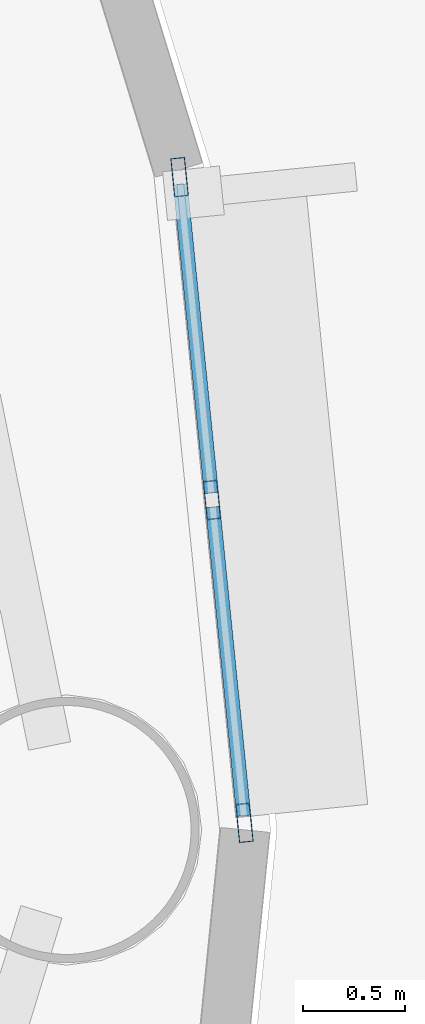
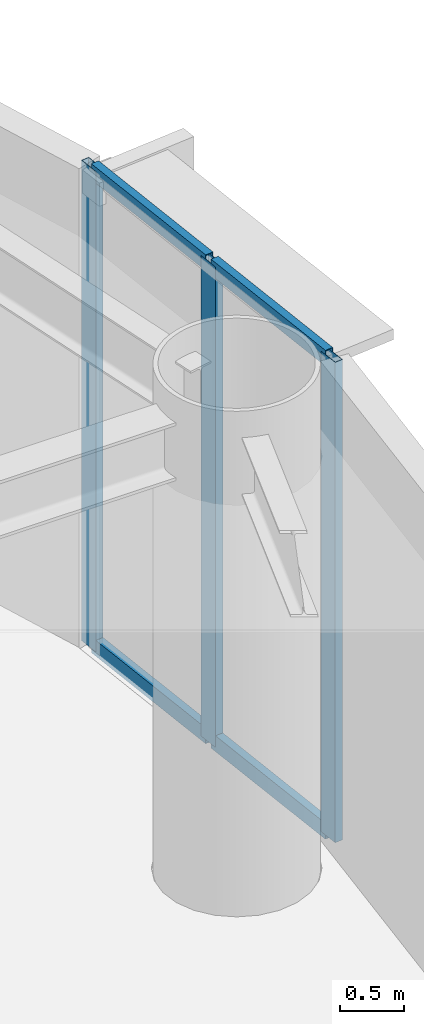
# One storey, part 16 of 38: 7 members, 1 element without a shape of its own.
"""IFC4 building model written with IfcOpenShell, lengths in metres."""

import ifcopenshell
import ifcopenshell.guid

model = None  # the IFC model being written
_history = None  # IfcOwnerHistory: only IFC2X3 demands one
_inside = {}  # id of a spatial element -> (the spatial element, [elements in it])
_under = {}  # id of a project, library or spatial element -> (it, [spatial elements below it])
_declared = {}  # id of a project -> (the project, [libraries it declares])
_typed = {}  # id of a type object -> (the type object, [elements of that type])
_made_of = {}  # id of a material, layer set ... -> (it, [elements and type objects made of it])


def new_model(schema):
    """Start an empty IFC model of exactly this schema.

    Asked for "IFC4X3", IfcOpenShell would pick the latest addendum, in which some entities
    have other attributes; the version numbers below select the first issue.
    IFC2X3 requires an IfcOwnerHistory on every rooted entity: one is made here for all.
    """
    global model, _history
    if schema == "IFC4X3":
        model = ifcopenshell.file(schema_version=(4, 3, 0, 0))
    else:
        model = ifcopenshell.file(schema=schema)
    _inside.clear()
    _under.clear()
    _declared.clear()
    _typed.clear()
    _made_of.clear()
    _history = None
    if model.schema == "IFC2X3":
        org = make("IfcOrganization", Name="unknown")
        user = make(
            "IfcPersonAndOrganization",
            ThePerson=make("IfcPerson", FamilyName="unknown"),
            TheOrganization=org,
        )
        app = make(
            "IfcApplication",
            ApplicationDeveloper=org,
            Version="unknown",
            ApplicationFullName="unknown",
            ApplicationIdentifier="unknown",
        )
        _history = make(
            "IfcOwnerHistory",
            OwningUser=user,
            OwningApplication=app,
            ChangeAction="ADDED",
            CreationDate=0,
        )
    return model


def make(cls, **values):
    """One entity of the class cls with the attributes given. An attribute that is None is left unset."""
    return model.create_entity(
        cls, **{name: value for name, value in values.items() if value is not None}
    )


def rooted(cls, **values):
    """An entity with a GlobalId (a new one), such as an element, a storey or a relation."""
    return make(cls, GlobalId=ifcopenshell.guid.new(), OwnerHistory=_history, **values)


def si_unit(unit_type, name, prefix=None):
    """IfcSIUnit, for example si_unit("LENGTHUNIT", "METRE", prefix="MILLI")."""
    return make("IfcSIUnit", UnitType=unit_type, Prefix=prefix, Name=name)


def assignment(units):
    """IfcUnitAssignment: the units of a project."""
    return None if units is None else make("IfcUnitAssignment", Units=units)


def point(xyz):
    """IfcCartesianPoint."""
    return None if xyz is None else make("IfcCartesianPoint", Coordinates=xyz)


def direction(xyz):
    """IfcDirection."""
    return None if xyz is None else make("IfcDirection", DirectionRatios=xyz)


def frame(location, z_axis=None, x_axis=None):
    """IfcAxis2Placement3D, a coordinate frame: its origin and axes. An axis left out is left unset."""
    return make(
        "IfcAxis2Placement3D",
        Location=point(location),
        Axis=direction(z_axis),
        RefDirection=direction(x_axis),
    )


def frame_2d(location, x_axis=None):
    """IfcAxis2Placement2D, a coordinate frame in the plane: its origin and x axis."""
    return make(
        "IfcAxis2Placement2D", Location=point(location), RefDirection=direction(x_axis)
    )


def origin():
    """The frame at (0, 0, 0) with its axes left unset."""
    return frame((0.0, 0.0, 0.0))


def origin_2d():
    """The frame at (0, 0) in the plane with its x axis left unset."""
    return frame_2d((0.0, 0.0))


def place(relative_to, where):
    """IfcLocalPlacement: puts the frame where relative to a parent placement (None: the world)."""
    return make(
        "IfcLocalPlacement", PlacementRelTo=relative_to, RelativePlacement=where
    )


def context(
    kind, dimensions, precision=None, world=None, true_north=None, identifier=None
):
    """IfcGeometricRepresentationContext, for example the 3D "Model" context."""
    return make(
        "IfcGeometricRepresentationContext",
        ContextIdentifier=identifier,
        ContextType=kind,
        CoordinateSpaceDimension=dimensions,
        Precision=precision,
        WorldCoordinateSystem=world,
        TrueNorth=true_north,
    )


def subcontext(parent, identifier, kind, view, scale=None):
    """IfcGeometricRepresentationSubContext, for example "Body" below "Model"."""
    return make(
        "IfcGeometricRepresentationSubContext",
        ContextIdentifier=identifier,
        ContextType=kind,
        ParentContext=parent,
        TargetScale=scale,
        TargetView=view,
    )


def project(units=None, contexts=None):
    """IfcProject with its units and contexts."""
    return rooted(
        "IfcProject",
        Name="project",
        RepresentationContexts=contexts,
        UnitsInContext=assignment(units),
    )


def spatial(cls, under=None, at=None, **own):
    """A site, building, storey or space (cls), placed at a placement, below another one or the project."""
    s = rooted(cls, ObjectPlacement=at, **own)
    if under is not None:
        _under.setdefault(under.id(), (under, []))[1].append(s)
    return s


def profile(cls, at=None, kind="AREA", **sizes):
    """A parametric profile (cls). Its sizes go by their IFC names, for example OverallWidth=200.0."""
    return make(cls, ProfileType=kind, Position=at, **sizes)


def hollow_rectangle(**sizes):
    """IfcRectangleHollowProfileDef."""
    return profile("IfcRectangleHollowProfileDef", **sizes)


def extrude(swept, where, along, depth):
    """IfcExtrudedAreaSolid: the profile swept, set in the frame where, extruded along a direction by depth."""
    return make(
        "IfcExtrudedAreaSolid",
        SweptArea=swept,
        Position=where,
        ExtrudedDirection=direction(along),
        Depth=depth,
    )


def shape(context_of_items, identifier, shape_type, items):
    """IfcShapeRepresentation: the items that make up one representation, for example the "Body"."""
    return make(
        "IfcShapeRepresentation",
        ContextOfItems=context_of_items,
        RepresentationIdentifier=identifier,
        RepresentationType=shape_type,
        Items=items,
    )


def source(mapping_origin, context_of_items, identifier, shape_type, items):
    """IfcRepresentationMap: a shape defined once, which mapped items show again and again."""
    return make(
        "IfcRepresentationMap",
        MappingOrigin=mapping_origin,
        MappedRepresentation=shape(context_of_items, identifier, shape_type, items),
    )


def transform(
    local_origin,
    x_axis=None,
    y_axis=None,
    z_axis=None,
    scale=None,
    scale2=None,
    scale3=None,
    uniform=True,
):
    """IfcCartesianTransformationOperator3D, or its non-uniform kind. x_axis, y_axis, z_axis: its Axis1, 2, 3."""
    if uniform:
        return make(
            "IfcCartesianTransformationOperator3D",
            Axis1=direction(x_axis),
            Axis2=direction(y_axis),
            LocalOrigin=point(local_origin),
            Scale=scale,
            Axis3=direction(z_axis),
        )
    return make(
        "IfcCartesianTransformationOperator3DnonUniform",
        Axis1=direction(x_axis),
        Axis2=direction(y_axis),
        LocalOrigin=point(local_origin),
        Scale=scale,
        Axis3=direction(z_axis),
        Scale2=scale2,
        Scale3=scale3,
    )


def mapped(mapping_source, mapping_target):
    """IfcMappedItem: shows the shape of a source again, moved by a transform."""
    return make(
        "IfcMappedItem", MappingSource=mapping_source, MappingTarget=mapping_target
    )


def material(Name=None, Category=None):
    """IfcMaterial."""
    return make("IfcMaterial", Name=Name, Category=Category)


def layer(
    of_material, thickness, ventilated=None, Name=None, Category=None, Priority=None
):
    """IfcMaterialLayer: one layer of a wall or slab, of a material (None: an air gap)."""
    return make(
        "IfcMaterialLayer",
        Material=of_material,
        LayerThickness=thickness,
        IsVentilated=ventilated,
        Name=Name,
        Category=Category,
        Priority=Priority,
    )


def layer_set(layers, Name=None):
    """IfcMaterialLayerSet."""
    return make("IfcMaterialLayerSet", MaterialLayers=layers, LayerSetName=Name)


def material_profile(
    of_material, cross_section, Name=None, Category=None, Priority=None
):
    """IfcMaterialProfile: a cross section and its material."""
    return make(
        "IfcMaterialProfile",
        Name=Name,
        Material=of_material,
        Profile=cross_section,
        Priority=Priority,
        Category=Category,
    )


def profile_set(profiles, Name=None, composite=None):
    """IfcMaterialProfileSet."""
    return make(
        "IfcMaterialProfileSet",
        Name=Name,
        MaterialProfiles=profiles,
        CompositeProfile=composite,
    )


def made_of(thing, what):
    """Note that an element or type object is made of a material, layer set ...; save() writes the relation."""
    if what is not None:
        _made_of.setdefault(what.id(), (what, []))[1].append(thing)
    return thing


def type_object(cls, material=None, **own):
    """A type object (cls), such as IfcWallType, which elements share."""
    return made_of(rooted(cls, **own), material)


def element(
    cls,
    number,
    at=None,
    inside=None,
    cuts=None,
    type_object=None,
    material=None,
    context=None,
    identifier="Body",
    shape_type=None,
    held_by="IfcProductDefinitionShape",
    body=None,
    shapes=None,
    **own,
):
    """One element of the class cls, such as IfcWall. Its Tag is "e" and its number.

    at: its placement. inside: the storey or other place that contains it. cuts: it is an
    opening in that element (IfcRelVoidsElement). A single representation is given by context,
    identifier, shape_type and body (its items); several are given by shapes. held_by: the class
    of the entity that holds the representations. save() writes the other relations.
    """
    e = rooted(cls, Tag="e%d" % number, ObjectPlacement=at, **own)
    if body is not None:
        shapes = [shape(context, identifier, shape_type, body)]
    if shapes is not None:
        e.Representation = make(held_by, Representations=shapes)
    if inside is not None:
        _inside.setdefault(inside.id(), (inside, []))[1].append(e)
    if cuts is not None:
        rooted(
            "IfcRelVoidsElement", RelatingBuildingElement=cuts, RelatedOpeningElement=e
        )
    if type_object is not None:
        _typed.setdefault(type_object.id(), (type_object, []))[1].append(e)
    return made_of(e, material)


def aggregate(whole, parts):
    """IfcRelAggregates: a whole, such as a stair, and the parts it consists of."""
    return rooted("IfcRelAggregates", RelatingObject=whole, RelatedObjects=parts)


def save(model, path):
    """Write the relations noted so far, then the file.

    IfcRelAggregates (storeys below a building ...), IfcRelContainedInSpatialStructure (elements
    in a storey), IfcRelDefinesByType, IfcRelAssociatesMaterial and IfcRelDeclares: one each for
    every whole, place, type object, material and project.
    """
    for whole, parts in _under.values():
        aggregate(whole, parts)
    for where, things in _inside.values():
        rooted(
            "IfcRelContainedInSpatialStructure",
            RelatedElements=things,
            RelatingStructure=where,
        )
    for kind, things in _typed.values():
        rooted("IfcRelDefinesByType", RelatedObjects=things, RelatingType=kind)
    for what, things in _made_of.values():
        rooted("IfcRelAssociatesMaterial", RelatedObjects=things, RelatingMaterial=what)
    for by, libraries in _declared.values():
        rooted("IfcRelDeclares", RelatingContext=by, RelatedDefinitions=libraries)
    model.write(path)


model = new_model("IFC4")

# Units and contexts
model_context = context("Model", 3, precision=1e-05, world=origin(), true_north=direction((0.0, 1.0)))
body_context = subcontext(model_context, "Body", "Model", "MODEL_VIEW")
ifc_project = project(units=[si_unit("LENGTHUNIT", "METRE"), si_unit("AREAUNIT", "SQUARE_METRE"), si_unit("VOLUMEUNIT", "CUBIC_METRE"), si_unit("PLANEANGLEUNIT", "RADIAN"), si_unit("MASSUNIT", "GRAM", prefix="KILO")], contexts=[model_context])

# Site, building, storey
site_placement = place(None, origin())
site = spatial("IfcSite", under=ifc_project, at=site_placement, CompositionType="ELEMENT")
building_placement = place(site_placement, origin())
building = spatial("IfcBuilding", under=site, at=building_placement, Name="Linh Dai School and Residence Tower", CompositionType="ELEMENT")
storey_placement = place(building_placement, frame((0.0, 0.0, 151.35009765625)))
storey = spatial("IfcBuildingStorey", under=building, at=storey_placement, Name="L36", CompositionType="ELEMENT", Elevation=151.35009765625)

# Curtain wall, members
ifc_material_1 = material(Name="Aluminium Anodised Curtain Wall", Category="aluminium")
ifc_layer = layer(ifc_material_1, 0.18994140625)
ifc_layer_set = layer_set([ifc_layer], Name="Aluminium Anodised Curtain Wall")
curtain_wall_type = type_object("IfcCurtainWallType", Name="CW-SYS-5", PredefinedType="USERDEFINED", material=ifc_layer_set)
curtain_wall_placement = place(storey_placement, origin())
curtain_wall = element("IfcCurtainWall", 1, at=curtain_wall_placement, inside=storey, type_object=curtain_wall_type, Name="L36 CW5 Curtain Wall 01", ObjectType="UNITISED CURTAIN WALL", PredefinedType="USERDEFINED")
ifc_material_2 = material(Name="Aluminium Alloy 6063-T6", Category="aluminium")
ifc_material_profile_1 = material_profile(ifc_material_2, hollow_rectangle(XDim=0.070068359375, YDim=0.18994140625, WallThickness=0.00390625, at=origin_2d()), Name="RHS 190x70x4")
ifc_profile_set_1 = profile_set([ifc_material_profile_1], Name="Aluminium Alloy 6063-T6")
member_type_1 = type_object("IfcMemberType", Name="CW-SYS-5-MUL", PredefinedType="MULLION", material=ifc_profile_set_1)
shared_shape_1 = source(origin(), body_context, "Body", "SweptSolid", [
    extrude(hollow_rectangle(XDim=0.070068359375, YDim=0.18994140625, WallThickness=0.00390625, at=origin_2d()), origin(), (0.0, 0.0, 1.0), 4.5498046875),
])
member_1_placement = place(storey_placement, frame((62.153564453125, 30.198974609375, 0.0), z_axis=(0.0, 0.0, 1.0), x_axis=(0.994987256586, 0.100001796141, 0.0)))
member_1 = element("IfcMember", 2, at=member_1_placement, type_object=member_type_1, Name="CW5 mullion 1", PredefinedType="MULLION", context=body_context, shape_type="MappedRepresentation", body=[
    mapped(shared_shape_1, transform((0.0, 0.0, 0.0), x_axis=(1.0, 0.0, 0.0), y_axis=(0.0, 1.0, 0.0), z_axis=(0.0, 0.0, 1.0), scale=1.0)),
])
member_2_placement = place(storey_placement, frame((62.3125, 28.616943359375, 0.0), z_axis=(0.0, 0.0, 1.0), x_axis=(0.994987256586, 0.100001796141, 0.0)))
member_2 = element("IfcMember", 3, at=member_2_placement, type_object=member_type_1, Name="CW5 mullion 2", PredefinedType="MULLION", context=body_context, shape_type="MappedRepresentation", body=[
    mapped(shared_shape_1, transform((0.0, 0.0, 0.0), x_axis=(1.0, 0.0, 0.0), y_axis=(0.0, 1.0, 0.0), z_axis=(0.0, 0.0, 1.0), scale=1.0)),
])
member_3_placement = place(storey_placement, frame((62.471435546875, 27.034912109375, 0.0), z_axis=(0.0, 0.0, 1.0), x_axis=(0.994987256586, 0.100001796141, 0.0)))
member_3 = element("IfcMember", 4, at=member_3_placement, type_object=member_type_1, Name="CW5 mullion 3", PredefinedType="MULLION", context=body_context, shape_type="MappedRepresentation", body=[
    mapped(shared_shape_1, transform((0.0, 0.0, 0.0), x_axis=(1.0, 0.0, 0.0), y_axis=(0.0, 1.0, 0.0), z_axis=(0.0, 0.0, 1.0), scale=1.0)),
])
ifc_material_profile_2 = material_profile(ifc_material_2, hollow_rectangle(XDim=0.070068359375, YDim=0.14990234375, WallThickness=0.00390625, at=origin_2d()), Name="RHS 150x70x4")
ifc_profile_set_2 = profile_set([ifc_material_profile_2], Name="Aluminium Alloy 6063-T6")
member_type_2 = type_object("IfcMemberType", Name="CW-SYS-5-TRN", PredefinedType="USERDEFINED", material=ifc_profile_set_2)
shared_shape_2 = source(origin(), body_context, "Body", "SweptSolid", [
    extrude(hollow_rectangle(XDim=0.070068359375, YDim=0.14990234375, WallThickness=0.00390625, at=origin_2d()), origin(), (0.0, 0.0, 1.0), 1.52001953125),
])
member_4_placement = place(storey_placement, frame((62.156982421875, 30.1640625, 0.034912109375), z_axis=(0.10006027412, -0.994981377486, 0.0), x_axis=(0.994981377486, 0.10006027412, 0.0)))
member_4 = element("IfcMember", 5, at=member_4_placement, type_object=member_type_2, Name="CW5 transom 1.1", ObjectType="TRANSOM", PredefinedType="USERDEFINED", context=body_context, shape_type="MappedRepresentation", body=[
    mapped(shared_shape_2, transform((0.0, 0.0, 0.0), x_axis=(1.0, 0.0, 0.0), y_axis=(0.0, 1.0, 0.0), z_axis=(0.0, 0.0, 1.0), scale=1.0)),
])
member_5_placement = place(storey_placement, frame((62.156982421875, 30.1640625, 4.514892578125), z_axis=(0.10006027412, -0.994981377486, 0.0), x_axis=(0.994981377486, 0.10006027412, 0.0)))
member_5 = element("IfcMember", 6, at=member_5_placement, type_object=member_type_2, Name="CW5 transom 1.2", ObjectType="TRANSOM", PredefinedType="USERDEFINED", context=body_context, shape_type="MappedRepresentation", body=[
    mapped(shared_shape_2, transform((0.0, 0.0, 0.0), x_axis=(1.0, 0.0, 0.0), y_axis=(0.0, 1.0, 0.0), z_axis=(0.0, 0.0, 1.0), scale=1.0)),
])
member_6_placement = place(storey_placement, frame((62.31591796875, 28.58203125, 0.034912109375), z_axis=(0.10006027412, -0.994981377486, 0.0), x_axis=(0.994981377486, 0.10006027412, 0.0)))
member_6 = element("IfcMember", 7, at=member_6_placement, type_object=member_type_2, Name="CW5 transom 2.1", ObjectType="TRANSOM", PredefinedType="USERDEFINED", context=body_context, shape_type="MappedRepresentation", body=[
    mapped(shared_shape_2, transform((0.0, 0.0, 0.0), x_axis=(1.0, 0.0, 0.0), y_axis=(0.0, 1.0, 0.0), z_axis=(0.0, 0.0, 1.0), scale=1.0)),
])
member_7_placement = place(storey_placement, frame((62.31591796875, 28.58203125, 4.514892578125), z_axis=(0.10006027412, -0.994981377486, 0.0), x_axis=(0.994981377486, 0.10006027412, 0.0)))
member_7 = element("IfcMember", 8, at=member_7_placement, type_object=member_type_2, Name="CW5 transom 2.2", ObjectType="TRANSOM", PredefinedType="USERDEFINED", context=body_context, shape_type="MappedRepresentation", body=[
    mapped(shared_shape_2, transform((0.0, 0.0, 0.0), x_axis=(1.0, 0.0, 0.0), y_axis=(0.0, 1.0, 0.0), z_axis=(0.0, 0.0, 1.0), scale=1.0)),
])
aggregate(curtain_wall, [member_1, member_2, member_3, member_4, member_5, member_6, member_7])

save(model, "model.ifc")
